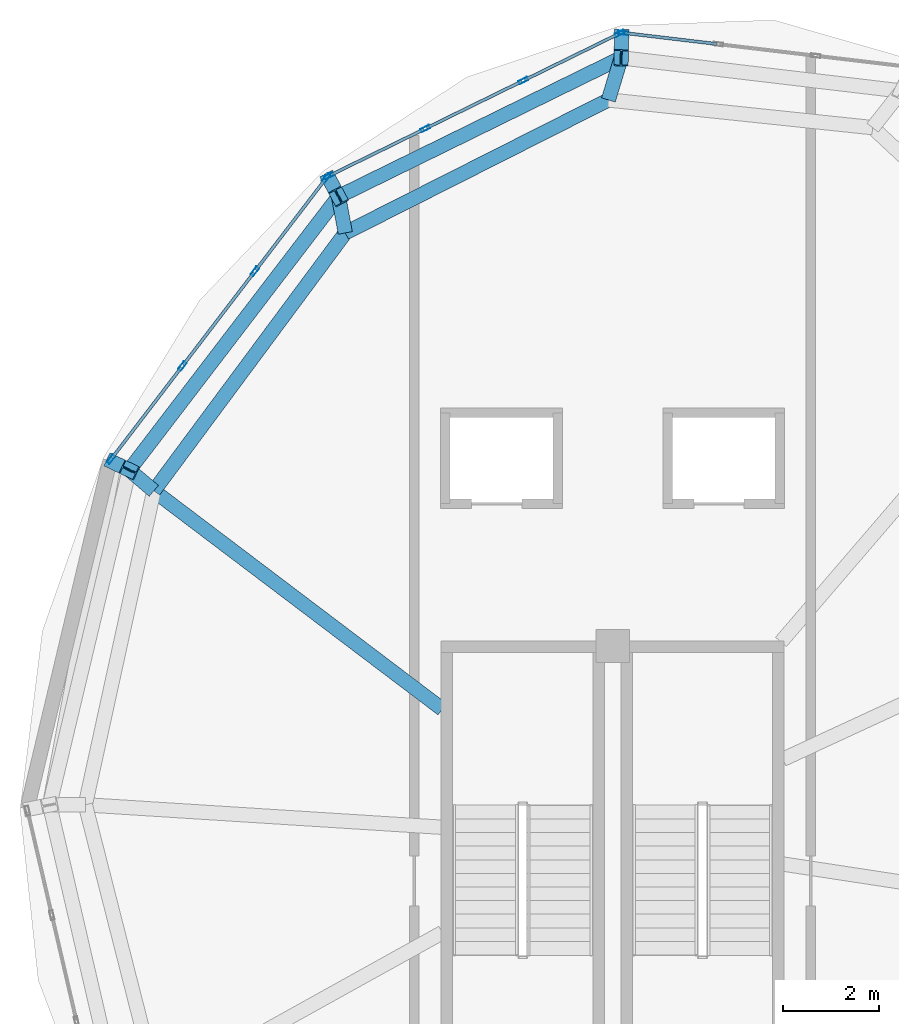
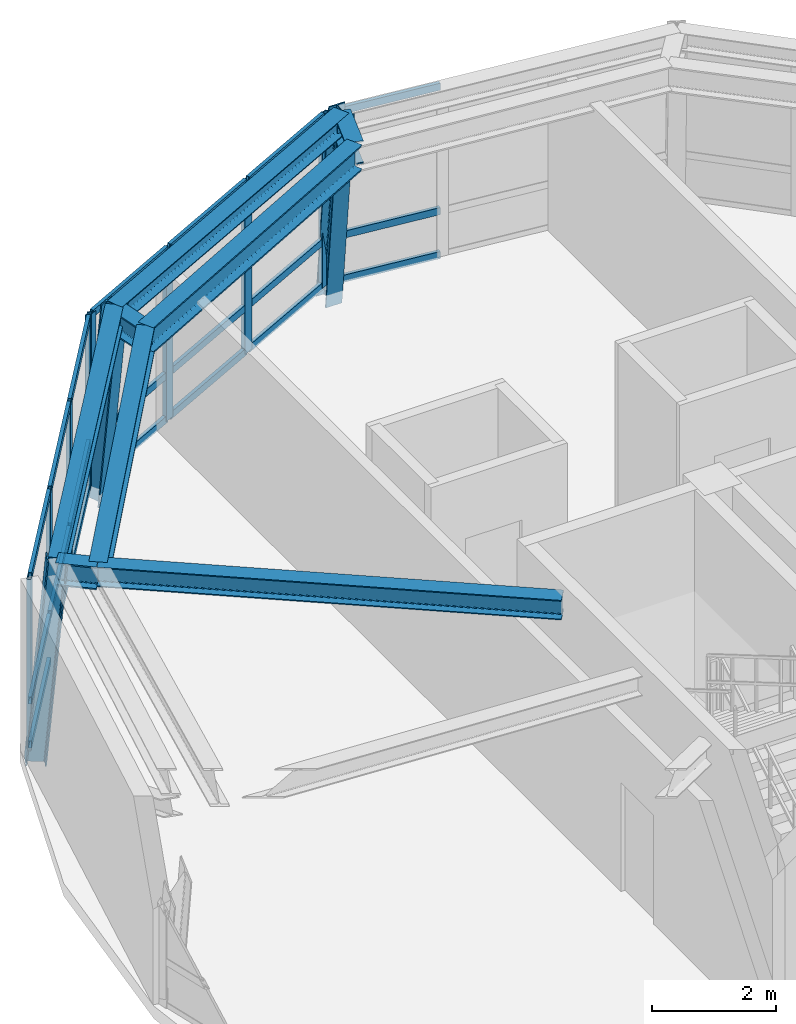
# One storey, part 5 of 9: 33 members, 8 beams, 3 elements without a shape of their own.
"""IFC4 building model written with IfcOpenShell, lengths in metres."""

from ifc_helpers import new_model, si_unit, direction, frame, origin, origin_2d, place, context, subcontext, project, spatial, hollow_rectangle, i_section, extrude, material, layer, layer_set, material_profile, profile_set, type_object, element, aggregate, save


model = new_model("IFC4")

# Units and contexts
model_context = context("Model", 3, precision=1e-05, world=origin(), true_north=direction((0.0, 1.0)))
body_context = subcontext(model_context, "Body", "Model", "MODEL_VIEW")
ifc_project = project(units=[si_unit("LENGTHUNIT", "METRE"), si_unit("AREAUNIT", "SQUARE_METRE"), si_unit("VOLUMEUNIT", "CUBIC_METRE"), si_unit("PLANEANGLEUNIT", "RADIAN"), si_unit("MASSUNIT", "GRAM", prefix="KILO"), si_unit("THERMODYNAMICTEMPERATUREUNIT", "KELVIN"), si_unit("POWERUNIT", "WATT")], contexts=[model_context])

# Site, building, storey
site_placement = place(None, origin())
site = spatial("IfcSite", under=ifc_project, at=site_placement, CompositionType="ELEMENT")
building_placement = place(site_placement, origin())
building = spatial("IfcBuilding", under=site, at=building_placement, Name="Ocrelia Relay Tower", CompositionType="ELEMENT")
storey_placement = place(building_placement, frame((0.0, 0.0, 296.0)))
storey = spatial("IfcBuildingStorey", under=building, at=storey_placement, Name="L74", CompositionType="ELEMENT", Elevation=296.0)

# Beams
ifc_material_1 = material(Name="Steel S355", Category="steel")
ifc_material_profile_1 = material_profile(ifc_material_1, i_section(OverallWidth=0.300048828125, OverallDepth=0.35009765625, WebThickness=0.010009765625, FlangeThickness=0.017578125, FilletRadius=0.027099609375, at=origin_2d()), Name="HEA 360")
ifc_profile_set_1 = profile_set([ifc_material_profile_1], Name="Steel S355")
beam_type_1 = type_object("IfcBeamType", Name="BM-HEA360", PredefinedType="SPANDREL", material=ifc_profile_set_1)
beam_1_placement = place(storey_placement, frame((34.178955078125, 39.4326171875, 3.574951171875), z_axis=(-0.897728879167, -0.440548362283, 0.0), x_axis=(0.440548362283, -0.897728879167, 0.0)))
element("IfcBeam", 1, at=beam_1_placement, inside=storey, type_object=beam_type_1, Name="L74 Crown Faceted Ring Beam R02", PredefinedType="SPANDREL", context=body_context, shape_type="SweptSolid", body=[
    extrude(i_section(OverallWidth=0.300048828125, OverallDepth=0.35009765625, WebThickness=0.010009765625, FlangeThickness=0.017578125, FilletRadius=0.027099609375, at=origin_2d()), origin(), (0.0, 0.0, 1.0), 6.5908203125),
])
beam_2_placement = place(storey_placement, frame((28.26220703125, 36.529052734375, 3.574951171875), z_axis=(-0.607608504401, -0.794236680958, 0.0), x_axis=(0.794236680958, -0.607608504401, 0.0)))
element("IfcBeam", 2, at=beam_2_placement, inside=storey, type_object=beam_type_1, Name="L74 Crown Faceted Ring Beam R03", PredefinedType="SPANDREL", context=body_context, shape_type="SweptSolid", body=[
    extrude(i_section(OverallWidth=0.300048828125, OverallDepth=0.35009765625, WebThickness=0.010009765625, FlangeThickness=0.017578125, FilletRadius=0.027099609375, at=origin_2d()), origin(), (0.0, 0.0, 1.0), 7.2080078125),
])
ifc_material_profile_2 = material_profile(ifc_material_1, i_section(OverallWidth=0.300048828125, OverallDepth=0.389892578125, WebThickness=0.010986328125, FlangeThickness=0.01904296875, FilletRadius=0.027099609375, at=origin_2d()), Name="HEA 400")
ifc_profile_set_2 = profile_set([ifc_material_profile_2], Name="Steel S355")
beam_type_2 = type_object("IfcBeamType", Name="BM-HEA400", PredefinedType="SPANDREL", material=ifc_profile_set_2)
beam_3_placement = place(storey_placement, frame((24.39599609375, 30.36669921875, 3.554931640625), z_axis=(0.797455017989, -0.603378400578, 0.0), x_axis=(0.603378400578, 0.797455017989, 0.0)))
element("IfcBeam", 3, at=beam_3_placement, inside=storey, type_object=beam_type_2, Name="L74 Crown Radial Floor Beam 04", PredefinedType="SPANDREL", context=body_context, shape_type="SweptSolid", body=[
    extrude(i_section(OverallWidth=0.300048828125, OverallDepth=0.389892578125, WebThickness=0.010986328125, FlangeThickness=0.01904296875, FilletRadius=0.027099609375, at=origin_2d()), origin(), (0.0, 0.0, 1.0), 7.572998046875),
])
ifc_material_profile_3 = material_profile(ifc_material_1, i_section(OverallWidth=0.300048828125, OverallDepth=0.449951171875, WebThickness=0.013916015625, FlangeThickness=0.02587890625, FilletRadius=0.027099609375, at=origin_2d()), Name="HEB 450")
ifc_profile_set_3 = profile_set([ifc_material_profile_3], Name="Steel S355")
beam_type_3 = type_object("IfcBeamType", Name="BM-HEB450", PredefinedType="BEAM", material=ifc_profile_set_3)
beam_4_placement = place(storey_placement, frame((34.178955078125, 39.4326171875, 3.52490234375), z_axis=(-0.289970646367, -0.957035539698, 0.0), x_axis=(0.957035539698, -0.289970646367, 0.0)))
element("IfcBeam", 4, at=beam_4_placement, inside=storey, type_object=beam_type_3, Name="L74 Crown Step Radial Beam ST02", PredefinedType="BEAM", context=body_context, shape_type="SweptSolid", body=[
    extrude(i_section(OverallWidth=0.300048828125, OverallDepth=0.449951171875, WebThickness=0.013916015625, FlangeThickness=0.02587890625, FilletRadius=0.027099609375, at=origin_2d()), origin(), (0.0, 0.0, 1.0), 0.921875),
])
beam_5_placement = place(storey_placement, frame((28.26220703125, 36.529052734375, 3.52490234375), z_axis=(0.183318543671, -0.983053564943, 0.0), x_axis=(0.983053564943, 0.183318543671, 0.0)))
element("IfcBeam", 5, at=beam_5_placement, inside=storey, type_object=beam_type_3, Name="L74 Crown Step Radial Beam ST03", PredefinedType="BEAM", context=body_context, shape_type="SweptSolid", body=[
    extrude(i_section(OverallWidth=0.300048828125, OverallDepth=0.449951171875, WebThickness=0.013916015625, FlangeThickness=0.02587890625, FilletRadius=0.027099609375, at=origin_2d()), origin(), (0.0, 0.0, 1.0), 0.775146484375),
])
beam_6_placement = place(storey_placement, frame((23.882568359375, 30.80419921875, 3.52490234375), z_axis=(0.761143963462, -0.64858296839, 0.0), x_axis=(0.64858296839, 0.761143963462, 0.0)))
element("IfcBeam", 6, at=beam_6_placement, inside=storey, type_object=beam_type_3, Name="L74 Crown Step Radial Beam ST04", PredefinedType="BEAM", context=body_context, shape_type="SweptSolid", body=[
    extrude(i_section(OverallWidth=0.300048828125, OverallDepth=0.449951171875, WebThickness=0.013916015625, FlangeThickness=0.02587890625, FilletRadius=0.027099609375, at=origin_2d()), origin(), (0.0, 0.0, 1.0), 0.674560546875),
])
ifc_material_profile_4 = material_profile(ifc_material_1, i_section(OverallWidth=0.300048828125, OverallDepth=0.5, WebThickness=0.014404296875, FlangeThickness=0.028076171875, FilletRadius=0.027099609375, at=origin_2d()), Name="HEB 500")
ifc_profile_set_4 = profile_set([ifc_material_profile_4], Name="Steel S355")
beam_type_4 = type_object("IfcBeamType", Name="BM-HEB500", PredefinedType="BEAM", material=ifc_profile_set_4)
beam_7_placement = place(storey_placement, frame((33.91162109375, 38.55029296875, 3.5), z_axis=(-0.892504052224, -0.451039373852, 0.0), x_axis=(0.451039373852, -0.892504052224, 0.0)))
element("IfcBeam", 7, at=beam_7_placement, inside=storey, type_object=beam_type_4, Name="L74 Crown Step Perimeter Ring Beam SR02", PredefinedType="BEAM", context=body_context, shape_type="SweptSolid", body=[
    extrude(i_section(OverallWidth=0.300048828125, OverallDepth=0.5, WebThickness=0.014404296875, FlangeThickness=0.028076171875, FilletRadius=0.027099609375, at=origin_2d()), origin(), (0.0, 0.0, 1.0), 6.170654296875),
])
beam_8_placement = place(storey_placement, frame((28.404296875, 35.76708984375, 3.5), z_axis=(-0.595996456139, -0.802987063576, 0.0), x_axis=(0.802987063576, -0.595996456139, 0.0)))
element("IfcBeam", 8, at=beam_8_placement, inside=storey, type_object=beam_type_4, Name="L74 Crown Step Perimeter Ring Beam SR03", PredefinedType="BEAM", context=body_context, shape_type="SweptSolid", body=[
    extrude(i_section(OverallWidth=0.300048828125, OverallDepth=0.5, WebThickness=0.014404296875, FlangeThickness=0.028076171875, FilletRadius=0.027099609375, at=origin_2d()), origin(), (0.0, 0.0, 1.0), 6.725341796875),
])

# Curtain wall, member
ifc_material_2 = material(Name="Aluminium and solar-control low-E glass", Category="aluminium")
ifc_layer = layer(ifc_material_2, 0.179931640625, Name="Aluminium and solar-control low-E glass")
ifc_layer_set = layer_set([ifc_layer], Name="Aluminium and solar-control low-E glass")
curtain_wall_type = type_object("IfcCurtainWallType", Name="CW-SYS-CROWN-PT", PredefinedType="NOTDEFINED", material=ifc_layer_set)
curtain_wall_1_placement = place(storey_placement, origin())
curtain_wall_1 = element("IfcCurtainWall", 9, at=curtain_wall_1_placement, inside=storey, type_object=curtain_wall_type, Name="L74 Faceted Glass-Point Crown Curtain Wall 01", PredefinedType="NOTDEFINED")
ifc_material_3 = material(Name="Anodised bronze aluminium", Category="aluminium")
ifc_material_profile_5 = material_profile(ifc_material_3, hollow_rectangle(XDim=0.074951171875, YDim=0.199951171875, WallThickness=0.006103515625, at=origin_2d()), Name="CW-MUL-200x75")
ifc_profile_set_5 = profile_set([ifc_material_profile_5], Name="Anodised bronze aluminium")
member_type_1 = type_object("IfcMemberType", Name="CW-SYS-CROWN-PT-MUL", PredefinedType="MULLION", material=ifc_profile_set_5)
member_1_placement = place(storey_placement, frame((34.21728515625, 39.955078125, 0.0), z_axis=(0.0, 0.0, 1.0), x_axis=(-0.118029557759, -0.993010082273, 0.0)))
member_1 = element("IfcMember", 10, at=member_1_placement, type_object=member_type_1, Name="CW-CR mullion 4", PredefinedType="MULLION", context=body_context, shape_type="SweptSolid", body=[
    extrude(hollow_rectangle(XDim=0.074951171875, YDim=0.199951171875, WallThickness=0.006103515625, at=origin_2d()), origin(), (0.0, 0.0, 1.0), 3.389892578125),
])

# Curtain wall, members
curtain_wall_2_placement = place(storey_placement, origin())
curtain_wall_2 = element("IfcCurtainWall", 11, at=curtain_wall_2_placement, inside=storey, type_object=curtain_wall_type, Name="L74 Faceted Glass-Point Crown Curtain Wall 02", PredefinedType="NOTDEFINED")
member_2_placement = place(storey_placement, frame((34.146484375, 39.94287109375, 0.0), z_axis=(0.0, 0.0, 1.0), x_axis=(0.440058914423, -0.897968903602, 0.0)))
member_2 = element("IfcMember", 12, at=member_2_placement, type_object=member_type_1, Name="CW-CR mullion 1", PredefinedType="MULLION", context=body_context, shape_type="SweptSolid", body=[
    extrude(hollow_rectangle(XDim=0.074951171875, YDim=0.199951171875, WallThickness=0.006103515625, at=origin_2d()), origin(), (0.0, 0.0, 1.0), 3.389892578125),
])
member_3_placement = place(storey_placement, frame((32.12939453125, 38.954345703125, 0.0), z_axis=(0.0, 0.0, 1.0), x_axis=(0.440058914423, -0.897968903602, 0.0)))
member_3 = element("IfcMember", 13, at=member_3_placement, type_object=member_type_1, Name="CW-CR mullion 2", PredefinedType="MULLION", context=body_context, shape_type="SweptSolid", body=[
    extrude(hollow_rectangle(XDim=0.074951171875, YDim=0.199951171875, WallThickness=0.006103515625, at=origin_2d()), origin(), (0.0, 0.0, 1.0), 3.389892578125),
])
member_4_placement = place(storey_placement, frame((30.07861328125, 37.949462890625, 0.0), z_axis=(0.0, 0.0, 1.0), x_axis=(0.440058914423, -0.897968903602, 0.0)))
member_4 = element("IfcMember", 14, at=member_4_placement, type_object=member_type_1, Name="CW-CR mullion 3", PredefinedType="MULLION", context=body_context, shape_type="SweptSolid", body=[
    extrude(hollow_rectangle(XDim=0.074951171875, YDim=0.199951171875, WallThickness=0.006103515625, at=origin_2d()), origin(), (0.0, 0.0, 1.0), 3.389892578125),
])
member_5_placement = place(storey_placement, frame((28.061767578125, 36.9609375, 0.0), z_axis=(0.0, 0.0, 1.0), x_axis=(0.440058914423, -0.897968903602, 0.0)))
member_5 = element("IfcMember", 15, at=member_5_placement, type_object=member_type_1, Name="CW-CR mullion 4", PredefinedType="MULLION", context=body_context, shape_type="SweptSolid", body=[
    extrude(hollow_rectangle(XDim=0.074951171875, YDim=0.199951171875, WallThickness=0.006103515625, at=origin_2d()), origin(), (0.0, 0.0, 1.0), 3.389892578125),
])

curtain_wall_3_placement = place(storey_placement, origin())
curtain_wall_3 = element("IfcCurtainWall", 16, at=curtain_wall_3_placement, inside=storey, type_object=curtain_wall_type, Name="L74 Faceted Glass-Point Crown Curtain Wall 03", PredefinedType="NOTDEFINED")
member_6_placement = place(storey_placement, frame((28.005126953125, 36.914794921875, 0.0), z_axis=(0.0, 0.0, 1.0), x_axis=(0.7941072518, -0.607777650658, 0.0)))
member_6 = element("IfcMember", 17, at=member_6_placement, type_object=member_type_1, Name="CW-CR mullion 1", PredefinedType="MULLION", context=body_context, shape_type="SweptSolid", body=[
    extrude(hollow_rectangle(XDim=0.074951171875, YDim=0.199951171875, WallThickness=0.006103515625, at=origin_2d()), origin(), (0.0, 0.0, 1.0), 3.389892578125),
])
member_7_placement = place(storey_placement, frame((26.5107421875, 34.9619140625, 0.0), z_axis=(0.0, 0.0, 1.0), x_axis=(0.7941072518, -0.607777650658, 0.0)))
member_7 = element("IfcMember", 18, at=member_7_placement, type_object=member_type_1, Name="CW-CR mullion 2", PredefinedType="MULLION", context=body_context, shape_type="SweptSolid", body=[
    extrude(hollow_rectangle(XDim=0.074951171875, YDim=0.199951171875, WallThickness=0.006103515625, at=origin_2d()), origin(), (0.0, 0.0, 1.0), 3.389892578125),
])
member_8_placement = place(storey_placement, frame((24.993408203125, 32.9794921875, 0.0), z_axis=(0.0, 0.0, 1.0), x_axis=(0.7941072518, -0.607777650658, 0.0)))
member_8 = element("IfcMember", 19, at=member_8_placement, type_object=member_type_1, Name="CW-CR mullion 3", PredefinedType="MULLION", context=body_context, shape_type="SweptSolid", body=[
    extrude(hollow_rectangle(XDim=0.074951171875, YDim=0.199951171875, WallThickness=0.006103515625, at=origin_2d()), origin(), (0.0, 0.0, 1.0), 3.389892578125),
])
member_9_placement = place(storey_placement, frame((23.498779296875, 31.02685546875, 0.0), z_axis=(0.0, 0.0, 1.0), x_axis=(0.7941072518, -0.607777650658, 0.0)))
member_9 = element("IfcMember", 20, at=member_9_placement, type_object=member_type_1, Name="CW-CR mullion 4", PredefinedType="MULLION", context=body_context, shape_type="SweptSolid", body=[
    extrude(hollow_rectangle(XDim=0.074951171875, YDim=0.199951171875, WallThickness=0.006103515625, at=origin_2d()), origin(), (0.0, 0.0, 1.0), 3.389892578125),
])

# Member
ifc_material_profile_6 = material_profile(ifc_material_3, hollow_rectangle(XDim=0.06494140625, YDim=0.139892578125, WallThickness=0.0048828125, at=origin_2d()), Name="CW-TRN-140x65")
ifc_profile_set_6 = profile_set([ifc_material_profile_6], Name="Anodised bronze aluminium")
member_type_2 = type_object("IfcMemberType", Name="CW-SYS-CROWN-PT-TRN", PredefinedType="USERDEFINED", material=ifc_profile_set_6)
member_10_placement = place(storey_placement, frame((36.177490234375, 39.721923828125, 0.032470703125), z_axis=(-0.993012215486, 0.118011609154, 0.0), x_axis=(-0.118011609154, -0.993012215486, 0.0)))
member_10 = element("IfcMember", 21, at=member_10_placement, type_object=member_type_2, Name="CW-CR transom 3.1", ObjectType="TRANSOM", PredefinedType="USERDEFINED", context=body_context, shape_type="SweptSolid", body=[
    extrude(hollow_rectangle(XDim=0.06494140625, YDim=0.139892578125, WallThickness=0.0048828125, at=origin_2d()), origin(), (0.0, 0.0, 1.0), 1.936279296875),
])

member_11_placement = place(storey_placement, frame((36.177490234375, 39.721923828125, 0.89990234375), z_axis=(-0.993012215486, 0.118011609154, 0.0), x_axis=(-0.118011609154, -0.993012215486, 0.0)))
member_11 = element("IfcMember", 22, at=member_11_placement, type_object=member_type_2, Name="CW-CR transom 3.2", ObjectType="TRANSOM", PredefinedType="USERDEFINED", context=body_context, shape_type="SweptSolid", body=[
    extrude(hollow_rectangle(XDim=0.06494140625, YDim=0.139892578125, WallThickness=0.0048828125, at=origin_2d()), origin(), (0.0, 0.0, 1.0), 1.936279296875),
])

member_12_placement = place(storey_placement, frame((36.177490234375, 39.721923828125, 3.357421875), z_axis=(-0.993012215486, 0.118011609154, 0.0), x_axis=(-0.118011609154, -0.993012215486, 0.0)))
member_12 = element("IfcMember", 23, at=member_12_placement, type_object=member_type_2, Name="CW-CR transom 3.3", ObjectType="TRANSOM", PredefinedType="USERDEFINED", context=body_context, shape_type="SweptSolid", body=[
    extrude(hollow_rectangle(XDim=0.06494140625, YDim=0.139892578125, WallThickness=0.0048828125, at=origin_2d()), origin(), (0.0, 0.0, 1.0), 1.936279296875),
])

aggregate(curtain_wall_1, [member_1, member_10, member_11, member_12])

member_13_placement = place(storey_placement, frame((34.11279296875, 39.926513671875, 0.032470703125), z_axis=(-0.897952089543, -0.440093222949, 0.0), x_axis=(0.440093222949, -0.897952089543, 0.0)))
member_13 = element("IfcMember", 24, at=member_13_placement, type_object=member_type_2, Name="CW-CR transom 1.1", ObjectType="TRANSOM", PredefinedType="USERDEFINED", context=body_context, shape_type="SweptSolid", body=[
    extrude(hollow_rectangle(XDim=0.06494140625, YDim=0.139892578125, WallThickness=0.0048828125, at=origin_2d()), origin(), (0.0, 0.0, 1.0), 2.17138671875),
])

member_14_placement = place(storey_placement, frame((34.11279296875, 39.926513671875, 0.89990234375), z_axis=(-0.897952089543, -0.440093222949, 0.0), x_axis=(0.440093222949, -0.897952089543, 0.0)))
member_14 = element("IfcMember", 25, at=member_14_placement, type_object=member_type_2, Name="CW-CR transom 1.2", ObjectType="TRANSOM", PredefinedType="USERDEFINED", context=body_context, shape_type="SweptSolid", body=[
    extrude(hollow_rectangle(XDim=0.06494140625, YDim=0.139892578125, WallThickness=0.0048828125, at=origin_2d()), origin(), (0.0, 0.0, 1.0), 2.17138671875),
])

member_15_placement = place(storey_placement, frame((34.11279296875, 39.926513671875, 3.357421875), z_axis=(-0.897952089543, -0.440093222949, 0.0), x_axis=(0.440093222949, -0.897952089543, 0.0)))
member_15 = element("IfcMember", 26, at=member_15_placement, type_object=member_type_2, Name="CW-CR transom 1.3", ObjectType="TRANSOM", PredefinedType="USERDEFINED", context=body_context, shape_type="SweptSolid", body=[
    extrude(hollow_rectangle(XDim=0.06494140625, YDim=0.139892578125, WallThickness=0.0048828125, at=origin_2d()), origin(), (0.0, 0.0, 1.0), 2.17138671875),
])

member_16_placement = place(storey_placement, frame((32.095703125, 38.93798828125, 0.032470703125), z_axis=(-0.897979819247, -0.440036639639, 0.0), x_axis=(0.440036639639, -0.897979819247, 0.0)))
member_16 = element("IfcMember", 27, at=member_16_placement, type_object=member_type_2, Name="CW-CR transom 2.1", ObjectType="TRANSOM", PredefinedType="USERDEFINED", context=body_context, shape_type="SweptSolid", body=[
    extrude(hollow_rectangle(XDim=0.06494140625, YDim=0.139892578125, WallThickness=0.0048828125, at=origin_2d()), origin(), (0.0, 0.0, 1.0), 2.208740234375),
])

member_17_placement = place(storey_placement, frame((32.095703125, 38.93798828125, 0.89990234375), z_axis=(-0.897979819247, -0.440036639639, 0.0), x_axis=(0.440036639639, -0.897979819247, 0.0)))
member_17 = element("IfcMember", 28, at=member_17_placement, type_object=member_type_2, Name="CW-CR transom 2.2", ObjectType="TRANSOM", PredefinedType="USERDEFINED", context=body_context, shape_type="SweptSolid", body=[
    extrude(hollow_rectangle(XDim=0.06494140625, YDim=0.139892578125, WallThickness=0.0048828125, at=origin_2d()), origin(), (0.0, 0.0, 1.0), 2.208740234375),
])

member_18_placement = place(storey_placement, frame((32.095703125, 38.93798828125, 3.357421875), z_axis=(-0.897979819247, -0.440036639639, 0.0), x_axis=(0.440036639639, -0.897979819247, 0.0)))
member_18 = element("IfcMember", 29, at=member_18_placement, type_object=member_type_2, Name="CW-CR transom 2.3", ObjectType="TRANSOM", PredefinedType="USERDEFINED", context=body_context, shape_type="SweptSolid", body=[
    extrude(hollow_rectangle(XDim=0.06494140625, YDim=0.139892578125, WallThickness=0.0048828125, at=origin_2d()), origin(), (0.0, 0.0, 1.0), 2.208740234375),
])

member_19_placement = place(storey_placement, frame((30.044921875, 37.932861328125, 0.032470703125), z_axis=(-0.897974748645, -0.440046987032, 0.0), x_axis=(0.440046987032, -0.897974748645, 0.0)))
member_19 = element("IfcMember", 30, at=member_19_placement, type_object=member_type_2, Name="CW-CR transom 3.1", ObjectType="TRANSOM", PredefinedType="USERDEFINED", context=body_context, shape_type="SweptSolid", body=[
    extrude(hollow_rectangle(XDim=0.06494140625, YDim=0.139892578125, WallThickness=0.0048828125, at=origin_2d()), origin(), (0.0, 0.0, 1.0), 2.1708984375),
])

member_20_placement = place(storey_placement, frame((30.044921875, 37.932861328125, 0.89990234375), z_axis=(-0.897974748645, -0.440046987032, 0.0), x_axis=(0.440046987032, -0.897974748645, 0.0)))
member_20 = element("IfcMember", 31, at=member_20_placement, type_object=member_type_2, Name="CW-CR transom 3.2", ObjectType="TRANSOM", PredefinedType="USERDEFINED", context=body_context, shape_type="SweptSolid", body=[
    extrude(hollow_rectangle(XDim=0.06494140625, YDim=0.139892578125, WallThickness=0.0048828125, at=origin_2d()), origin(), (0.0, 0.0, 1.0), 2.1708984375),
])

member_21_placement = place(storey_placement, frame((30.044921875, 37.932861328125, 3.357421875), z_axis=(-0.897974748645, -0.440046987032, 0.0), x_axis=(0.440046987032, -0.897974748645, 0.0)))
member_21 = element("IfcMember", 32, at=member_21_placement, type_object=member_type_2, Name="CW-CR transom 3.3", ObjectType="TRANSOM", PredefinedType="USERDEFINED", context=body_context, shape_type="SweptSolid", body=[
    extrude(hollow_rectangle(XDim=0.06494140625, YDim=0.139892578125, WallThickness=0.0048828125, at=origin_2d()), origin(), (0.0, 0.0, 1.0), 2.1708984375),
])

aggregate(curtain_wall_2, [member_2, member_3, member_4, member_5, member_13, member_14, member_15, member_16, member_17, member_18, member_19, member_20, member_21])

member_22_placement = place(storey_placement, frame((27.982421875, 36.885009765625, 0.032470703125), z_axis=(-0.607754138007, -0.794125246882, 0.0), x_axis=(0.794125246882, -0.607754138007, 0.0)))
member_22 = element("IfcMember", 33, at=member_22_placement, type_object=member_type_2, Name="CW-CR transom 1.1", ObjectType="TRANSOM", PredefinedType="USERDEFINED", context=body_context, shape_type="SweptSolid", body=[
    extrude(hollow_rectangle(XDim=0.06494140625, YDim=0.139892578125, WallThickness=0.0048828125, at=origin_2d()), origin(), (0.0, 0.0, 1.0), 2.384033203125),
])

member_23_placement = place(storey_placement, frame((27.982421875, 36.885009765625, 0.89990234375), z_axis=(-0.607754138007, -0.794125246882, 0.0), x_axis=(0.794125246882, -0.607754138007, 0.0)))
member_23 = element("IfcMember", 34, at=member_23_placement, type_object=member_type_2, Name="CW-CR transom 1.2", ObjectType="TRANSOM", PredefinedType="USERDEFINED", context=body_context, shape_type="SweptSolid", body=[
    extrude(hollow_rectangle(XDim=0.06494140625, YDim=0.139892578125, WallThickness=0.0048828125, at=origin_2d()), origin(), (0.0, 0.0, 1.0), 2.384033203125),
])

member_24_placement = place(storey_placement, frame((27.982421875, 36.885009765625, 3.357421875), z_axis=(-0.607754138007, -0.794125246882, 0.0), x_axis=(0.794125246882, -0.607754138007, 0.0)))
member_24 = element("IfcMember", 35, at=member_24_placement, type_object=member_type_2, Name="CW-CR transom 1.3", ObjectType="TRANSOM", PredefinedType="USERDEFINED", context=body_context, shape_type="SweptSolid", body=[
    extrude(hollow_rectangle(XDim=0.06494140625, YDim=0.139892578125, WallThickness=0.0048828125, at=origin_2d()), origin(), (0.0, 0.0, 1.0), 2.384033203125),
])

member_25_placement = place(storey_placement, frame((26.48779296875, 34.932373046875, 0.032470703125), z_axis=(-0.607730731039, -0.794143159985, 0.0), x_axis=(0.794143159985, -0.607730731039, 0.0)))
member_25 = element("IfcMember", 36, at=member_25_placement, type_object=member_type_2, Name="CW-CR transom 2.1", ObjectType="TRANSOM", PredefinedType="USERDEFINED", context=body_context, shape_type="SweptSolid", body=[
    extrude(hollow_rectangle(XDim=0.06494140625, YDim=0.139892578125, WallThickness=0.0048828125, at=origin_2d()), origin(), (0.0, 0.0, 1.0), 2.421630859375),
])

member_26_placement = place(storey_placement, frame((26.48779296875, 34.932373046875, 0.89990234375), z_axis=(-0.607730731039, -0.794143159985, 0.0), x_axis=(0.794143159985, -0.607730731039, 0.0)))
member_26 = element("IfcMember", 37, at=member_26_placement, type_object=member_type_2, Name="CW-CR transom 2.2", ObjectType="TRANSOM", PredefinedType="USERDEFINED", context=body_context, shape_type="SweptSolid", body=[
    extrude(hollow_rectangle(XDim=0.06494140625, YDim=0.139892578125, WallThickness=0.0048828125, at=origin_2d()), origin(), (0.0, 0.0, 1.0), 2.421630859375),
])

member_27_placement = place(storey_placement, frame((26.48779296875, 34.932373046875, 3.357421875), z_axis=(-0.607730731039, -0.794143159985, 0.0), x_axis=(0.794143159985, -0.607730731039, 0.0)))
member_27 = element("IfcMember", 38, at=member_27_placement, type_object=member_type_2, Name="CW-CR transom 2.3", ObjectType="TRANSOM", PredefinedType="USERDEFINED", context=body_context, shape_type="SweptSolid", body=[
    extrude(hollow_rectangle(XDim=0.06494140625, YDim=0.139892578125, WallThickness=0.0048828125, at=origin_2d()), origin(), (0.0, 0.0, 1.0), 2.421630859375),
])

member_28_placement = place(storey_placement, frame((24.970703125, 32.94970703125, 0.032470703125), z_axis=(-0.607803563283, -0.794087418651, 0.0), x_axis=(0.794087418651, -0.607803563283, 0.0)))
member_28 = element("IfcMember", 39, at=member_28_placement, type_object=member_type_2, Name="CW-CR transom 3.1", ObjectType="TRANSOM", PredefinedType="USERDEFINED", context=body_context, shape_type="SweptSolid", body=[
    extrude(hollow_rectangle(XDim=0.06494140625, YDim=0.139892578125, WallThickness=0.0048828125, at=origin_2d()), origin(), (0.0, 0.0, 1.0), 2.384033203125),
])

member_29_placement = place(storey_placement, frame((24.970703125, 32.94970703125, 0.89990234375), z_axis=(-0.607803563283, -0.794087418651, 0.0), x_axis=(0.794087418651, -0.607803563283, 0.0)))
member_29 = element("IfcMember", 40, at=member_29_placement, type_object=member_type_2, Name="CW-CR transom 3.2", ObjectType="TRANSOM", PredefinedType="USERDEFINED", context=body_context, shape_type="SweptSolid", body=[
    extrude(hollow_rectangle(XDim=0.06494140625, YDim=0.139892578125, WallThickness=0.0048828125, at=origin_2d()), origin(), (0.0, 0.0, 1.0), 2.384033203125),
])

member_30_placement = place(storey_placement, frame((24.970703125, 32.94970703125, 3.357421875), z_axis=(-0.607803563283, -0.794087418651, 0.0), x_axis=(0.794087418651, -0.607803563283, 0.0)))
member_30 = element("IfcMember", 41, at=member_30_placement, type_object=member_type_2, Name="CW-CR transom 3.3", ObjectType="TRANSOM", PredefinedType="USERDEFINED", context=body_context, shape_type="SweptSolid", body=[
    extrude(hollow_rectangle(XDim=0.06494140625, YDim=0.139892578125, WallThickness=0.0048828125, at=origin_2d()), origin(), (0.0, 0.0, 1.0), 2.384033203125),
])

aggregate(curtain_wall_3, [member_6, member_7, member_8, member_9, member_22, member_23, member_24, member_25, member_26, member_27, member_28, member_29, member_30])

# Members
ifc_material_profile_7 = material_profile(ifc_material_1, i_section(OverallWidth=0.300048828125, OverallDepth=0.340087890625, WebThickness=0.011962890625, FlangeThickness=0.021484375, FilletRadius=0.027099609375, at=origin_2d()), Name="HEB 340")
ifc_profile_set_7 = profile_set([ifc_material_profile_7], Name="Steel S355")
member_type_3 = type_object("IfcMemberType", Name="MB-CROWN-RIB", PredefinedType="STRUT", material=ifc_profile_set_7)
member_31_placement = place(storey_placement, frame((34.18798828125, 39.859619140625, -0.25), z_axis=(-0.002245536639, -0.106147123816, 0.994347899717), x_axis=(0.999776309215, -0.021150213517, 0.0)))
element("IfcMember", 42, at=member_31_placement, inside=storey, type_object=member_type_3, Name="L74 Crown Faceted Structural Strut Rib CR02", PredefinedType="STRUT", context=body_context, shape_type="SweptSolid", body=[
    extrude(i_section(OverallWidth=0.300048828125, OverallDepth=0.340087890625, WebThickness=0.011962890625, FlangeThickness=0.021484375, FilletRadius=0.027099609375, at=origin_2d()), origin(), (0.0, 0.0, 1.0), 4.022705078125),
])
member_32_placement = place(storey_placement, frame((28.084716796875, 36.8623046875, -0.25), z_axis=(0.04417619059, -0.082944291823, 0.995574562069), x_axis=(0.882621285734, 0.470084743391, 0.0)))
element("IfcMember", 43, at=member_32_placement, inside=storey, type_object=member_type_3, Name="L74 Crown Faceted Structural Strut Rib CR03", PredefinedType="STRUT", context=body_context, shape_type="SweptSolid", body=[
    extrude(i_section(OverallWidth=0.300048828125, OverallDepth=0.340087890625, WebThickness=0.011962890625, FlangeThickness=0.021484375, FilletRadius=0.027099609375, at=origin_2d()), origin(), (0.0, 0.0, 1.0), 4.017822265625),
])
member_33_placement = place(storey_placement, frame((23.56640625, 30.9541015625, -0.25), z_axis=(0.078739849675, -0.037333025251, 0.99619590508), x_axis=(0.428416246037, 0.903581496121, 0.0)))
element("IfcMember", 44, at=member_33_placement, inside=storey, type_object=member_type_3, Name="L74 Crown Faceted Structural Strut Rib CR04", PredefinedType="STRUT", context=body_context, shape_type="SweptSolid", body=[
    extrude(i_section(OverallWidth=0.300048828125, OverallDepth=0.340087890625, WebThickness=0.011962890625, FlangeThickness=0.021484375, FilletRadius=0.027099609375, at=origin_2d()), origin(), (0.0, 0.0, 1.0), 4.015380859375),
])

save(model, "model.ifc")
